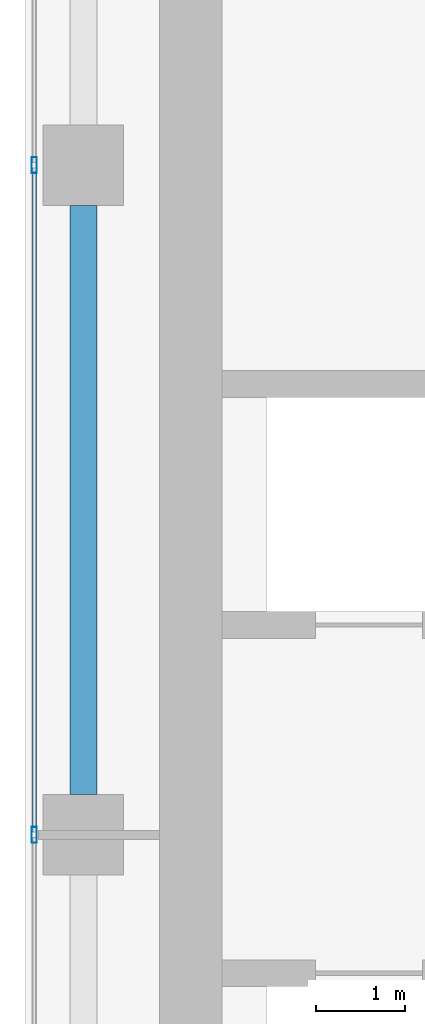
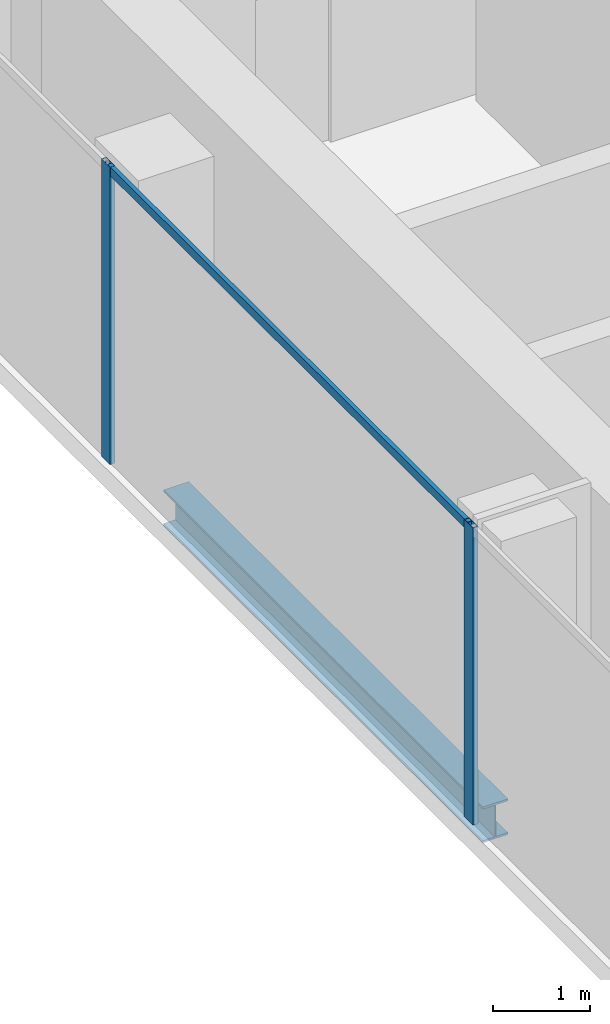
# One storey, part 8 of 34: 3 members, 1 beam, 1 element without a shape of its own.
"""IFC4 building model written with IfcOpenShell, lengths in metres."""

from ifc_helpers import new_model, si_unit, direction, frame, origin, origin_2d, place, context, subcontext, project, spatial, hollow_rectangle, i_section, extrude, source, transform, mapped, material, material_profile, profile_set, type_object, element, aggregate, save


model = new_model("IFC4")

# Units and contexts
model_context = context("Model", 3, precision=1e-05, world=origin(), true_north=direction((0.0, 1.0)))
body_context = subcontext(model_context, "Body", "Model", "MODEL_VIEW")
ifc_project = project(units=[si_unit("LENGTHUNIT", "METRE"), si_unit("AREAUNIT", "SQUARE_METRE"), si_unit("VOLUMEUNIT", "CUBIC_METRE"), si_unit("PLANEANGLEUNIT", "RADIAN"), si_unit("MASSUNIT", "GRAM", prefix="KILO")], contexts=[model_context])

# Site, building, storey
site_placement = place(None, origin())
site = spatial("IfcSite", under=ifc_project, at=site_placement, CompositionType="ELEMENT")
building_placement = place(site_placement, origin())
building = spatial("IfcBuilding", under=site, at=building_placement, Name="Khomas Fold Tower", CompositionType="ELEMENT")
storey_placement = place(building_placement, frame((0.0, 0.0, 242.199951171875)))
storey = spatial("IfcBuildingStorey", under=building, at=storey_placement, Name="L54", CompositionType="ELEMENT", Elevation=242.199951171875)

# Beam
ifc_material_1 = material(Name="Steel S355", Category="steel")
ifc_material_profile_1 = material_profile(ifc_material_1, i_section(OverallWidth=0.300048828125, OverallDepth=0.449951171875, WebThickness=0.013916015625, FlangeThickness=0.02587890625, at=origin_2d()), Name="HE 450 B")
ifc_profile_set_1 = profile_set([ifc_material_profile_1], Name="Steel S355")
beam_type = type_object("IfcBeamType", Name="HE 450 B spandrel SB4", PredefinedType="SPANDREL", material=ifc_profile_set_1)
shared_shape_1 = source(origin(), body_context, "Body", "SweptSolid", [
    extrude(i_section(OverallWidth=0.300048828125, OverallDepth=0.449951171875, WebThickness=0.013916015625, FlangeThickness=0.02587890625, at=origin_2d()), origin(), (0.0, 0.0, 1.0), 6.60009765625),
])
beam_placement = place(storey_placement, frame((5.14990234375, 27.449951171875, -0.474853515625), z_axis=(0.0, 1.0, 0.0), x_axis=(-1.0, 0.0, 0.0)))
element("IfcBeam", 1, at=beam_placement, inside=storey, type_object=beam_type, Name="SB4", PredefinedType="SPANDREL", context=body_context, shape_type="MappedRepresentation", body=[
    mapped(shared_shape_1, transform((0.0, 0.0, 0.0))),
])

# Curtain wall, members
ifc_material_2 = material(Name="Aluminium framed double glazing", Category="aluminium")
curtain_wall_type = type_object("IfcCurtainWallType", Name="SK-Unitised clear-glass wall, office floors CW2", PredefinedType="NOTDEFINED", material=ifc_material_2)
curtain_wall_placement = place(storey_placement, origin())
curtain_wall = element("IfcCurtainWall", 2, at=curtain_wall_placement, inside=storey, type_object=curtain_wall_type, Name="CW2 run L54 09-0", PredefinedType="NOTDEFINED")
ifc_material_3 = material(Name="Aluminium", Category="aluminium")
ifc_material_profile_2 = material_profile(ifc_material_3, hollow_rectangle(XDim=0.06005859375, YDim=0.179931640625, WallThickness=0.00390625, at=origin_2d()), Name="SK-Unitised clear-glass wall, office floors mullion CW2-M")
ifc_profile_set_2 = profile_set([ifc_material_profile_2], Name="Aluminium")
member_type_1 = type_object("IfcMemberType", Name="SK-Unitised clear-glass wall, office floors mullion CW2-M", PredefinedType="MULLION", material=ifc_profile_set_2)
shared_shape_2 = source(origin(), body_context, "Body", "SweptSolid", [
    extrude(hollow_rectangle(XDim=0.06005859375, YDim=0.179931640625, WallThickness=0.00390625, at=origin_2d()), origin(), (0.0, 0.0, 1.0), 3.75),
])
member_1_placement = place(storey_placement, frame((4.60009765625, 34.5, 0.0), z_axis=(0.0, 0.0, 1.0), x_axis=(1.0, 0.0, 0.0)))
member_1 = element("IfcMember", 3, at=member_1_placement, type_object=member_type_1, Name="CW2 mullion 3", PredefinedType="MULLION", context=body_context, shape_type="MappedRepresentation", body=[
    mapped(shared_shape_2, transform((0.0, 0.0, 0.0))),
])
member_2_placement = place(storey_placement, frame((4.60009765625, 27.0, 0.0), z_axis=(0.0, 0.0, 1.0), x_axis=(1.0, 0.0, 0.0)))
member_2 = element("IfcMember", 4, at=member_2_placement, type_object=member_type_1, Name="CW2 mullion 4", PredefinedType="MULLION", context=body_context, shape_type="MappedRepresentation", body=[
    mapped(shared_shape_2, transform((0.0, 0.0, 0.0))),
])
ifc_material_4 = material(Name="Aluminium", Category="aluminium")
ifc_material_profile_3 = material_profile(ifc_material_4, hollow_rectangle(XDim=0.050048828125, YDim=0.110107421875, WallThickness=0.00390625, at=origin_2d()), Name="SK-Unitised clear-glass wall, office floors transom CW2-T")
ifc_profile_set_3 = profile_set([ifc_material_profile_3], Name="Aluminium")
member_type_2 = type_object("IfcMemberType", Name="SK-Unitised clear-glass wall, office floors transom CW2-T", PredefinedType="USERDEFINED", material=ifc_profile_set_3)
shared_shape_3 = source(origin(), body_context, "Body", "SweptSolid", [
    extrude(hollow_rectangle(XDim=0.050048828125, YDim=0.110107421875, WallThickness=0.00390625, at=origin_2d()), origin(), (0.0, 0.0, 1.0), 7.43994140625),
])
member_3_placement = place(storey_placement, frame((4.60009765625, 34.469970703125, 3.695068359375), z_axis=(0.0, -1.0, 0.0), x_axis=(1.0, 0.0, 0.0)))
member_3 = element("IfcMember", 5, at=member_3_placement, type_object=member_type_2, Name="CW2 transom 3", ObjectType="TRANSOM", PredefinedType="USERDEFINED", context=body_context, shape_type="MappedRepresentation", body=[
    mapped(shared_shape_3, transform((0.0, 0.0, 0.0))),
])
aggregate(curtain_wall, [member_1, member_2, member_3])

save(model, "model.ifc")
